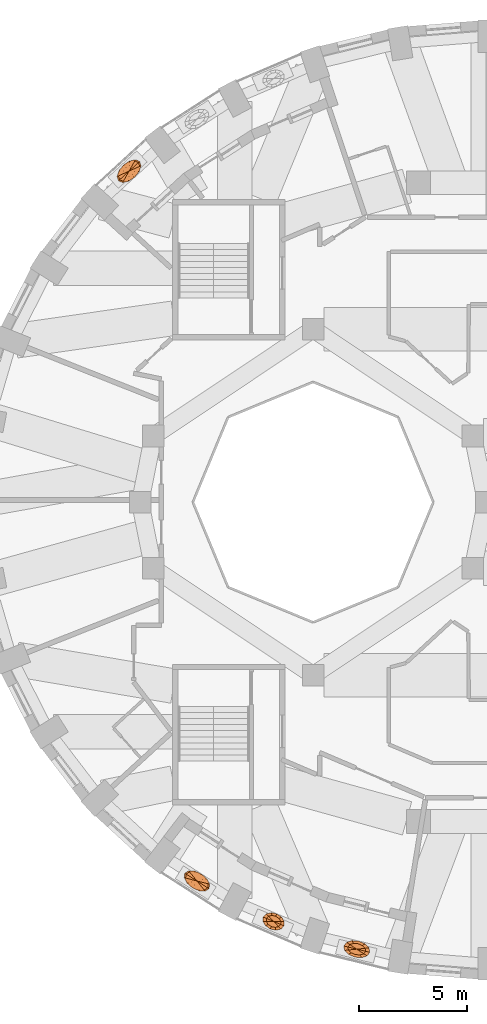
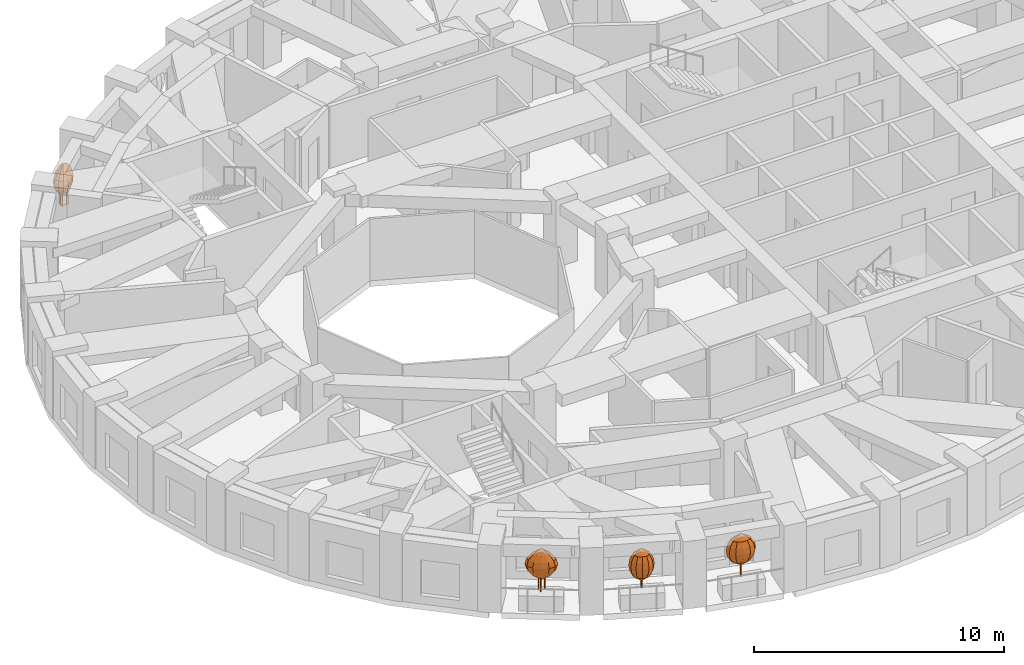
# One storey, part 11 of 12: 4 geographic elements.
"""IFC4 building model written with IfcOpenShell, lengths in metres."""

from ifc_helpers import new_model, si_unit, direction, frame, origin, place, context, subcontext, project, spatial, faceted_brep, material, constituent, constituent_set, type_object, element, save


model = new_model("IFC4")

# Units and contexts
model_context = context("Model", 3, precision=1e-05, world=origin(), true_north=direction((0.0, 1.0)))
body_context = subcontext(model_context, "Body", "Model", "MODEL_VIEW")
ifc_project = project(units=[si_unit("LENGTHUNIT", "METRE"), si_unit("AREAUNIT", "SQUARE_METRE"), si_unit("VOLUMEUNIT", "CUBIC_METRE"), si_unit("PLANEANGLEUNIT", "RADIAN"), si_unit("MASSUNIT", "GRAM", prefix="KILO")], contexts=[model_context])

# Site, building, storey
site_placement = place(None, origin())
site = spatial("IfcSite", under=ifc_project, at=site_placement, CompositionType="ELEMENT")
building_placement = place(site_placement, origin())
building = spatial("IfcBuilding", under=site, at=building_placement, Name="Taillehof Tower", CompositionType="ELEMENT")
storey_placement = place(building_placement, frame((0.0, 0.0, 171.5)))
storey = spatial("IfcBuildingStorey", under=building, at=storey_placement, Name="L48", CompositionType="ELEMENT", Elevation=171.5)

# Geographic elements
ifc_material_1 = material(Name="Tree bark", Category="timber")
ifc_constituent_1 = constituent(ifc_material_1, Name="Trunk", Category="timber")
ifc_material_2 = material(Name="Tree foliage")
ifc_constituent_2 = constituent(ifc_material_2, Name="Crown")
ifc_constituent_set_1 = constituent_set(constituents=[ifc_constituent_1, ifc_constituent_2], Name="Tree TR1 Columnar hornbeam")
geographic_element_type_1 = type_object("IfcGeographicElementType", Name="Tree TR1 Columnar hornbeam", PredefinedType="USERDEFINED", material=ifc_constituent_set_1)
geographic_element_1_placement = place(storey_placement, frame((-5.9794921875, -20.673583984375, 0.75)))
element("IfcGeographicElement", 1, at=geographic_element_1_placement, inside=storey, type_object=geographic_element_type_1, Name="Tree TR1 Columnar hornbeam", ObjectType="TREE", PredefinedType="USERDEFINED", context=body_context, shape_type="Brep", body=[
    faceted_brep([(0.030029296875, 0.0, 0.0), (0.021240234375, 0.021240234375, 0.0), (0.021240234375, 0.021240234375, 1.092529296875), (0.030029296875, 0.0, 1.092529296875), (0.0, 0.030029296875, 0.0), (0.0, 0.030029296875, 1.092529296875), (-0.021240234375, 0.021240234375, 0.0), (-0.021240234375, 0.021240234375, 1.092529296875), (-0.030029296875, 0.0, 0.0), (-0.030029296875, 0.0, 1.092529296875), (-0.021240234375, -0.021240234375, 0.0), (-0.021240234375, -0.021240234375, 1.092529296875), (0.0, -0.030029296875, 0.0), (0.0, -0.030029296875, 1.092529296875), (0.021240234375, -0.021240234375, 0.0), (0.021240234375, -0.021240234375, 1.092529296875)], [[[0, 1, 2, 3]], [[1, 4, 5, 2]], [[4, 6, 7, 5]], [[6, 8, 9, 7]], [[8, 10, 11, 9]], [[10, 12, 13, 11]], [[12, 14, 15, 13]], [[14, 0, 3, 15]], [[14, 12, 10, 8, 6, 4, 1, 0]], [[3, 2, 5, 7, 9, 11, 13, 15]]]),
    faceted_brep([(0.0, 0.0, 0.550048828125), (0.3857421875, 0.0390625, 0.808349609375), (0.40966796875, -0.100341796875, 0.808349609375), (0.25830078125, 0.168212890625, 0.808349609375), (0.061767578125, 0.252197265625, 0.808349609375), (-0.1513671875, 0.2685546875, 0.808349609375), (-0.323974609375, 0.212890625, 0.808349609375), (-0.40966796875, 0.100341796875, 0.808349609375), (-0.3857421875, -0.0390625, 0.808349609375), (-0.25830078125, -0.168212890625, 0.808349609375), (-0.061767578125, -0.252197265625, 0.808349609375), (0.1513671875, -0.2685546875, 0.808349609375), (0.323974609375, -0.212890625, 0.808349609375), (0.521728515625, 0.052978515625, 1.066650390625), (0.55419921875, -0.1357421875, 1.066650390625), (0.349365234375, 0.227294921875, 1.066650390625), (0.08349609375, 0.341064453125, 1.066650390625), (-0.20458984375, 0.36328125, 1.066650390625), (-0.43798828125, 0.2880859375, 1.066650390625), (-0.55419921875, 0.1357421875, 1.066650390625), (-0.521728515625, -0.052978515625, 1.066650390625), (-0.349365234375, -0.227294921875, 1.066650390625), (-0.08349609375, -0.341064453125, 1.066650390625), (0.20458984375, -0.36328125, 1.066650390625), (0.43798828125, -0.2880859375, 1.066650390625), (0.564697265625, 0.05712890625, 1.324951171875), (0.599853515625, -0.14697265625, 1.324951171875), (0.378173828125, 0.24609375, 1.324951171875), (0.090576171875, 0.369140625, 1.324951171875), (-0.221435546875, 0.39306640625, 1.324951171875), (-0.47412109375, 0.311767578125, 1.324951171875), (-0.599853515625, 0.14697265625, 1.324951171875), (-0.564697265625, -0.05712890625, 1.324951171875), (-0.378173828125, -0.24609375, 1.324951171875), (-0.090576171875, -0.369140625, 1.324951171875), (0.221435546875, -0.39306640625, 1.324951171875), (0.47412109375, -0.311767578125, 1.324951171875), (0.521728515625, 0.052978515625, 1.583251953125), (0.55419921875, -0.1357421875, 1.583251953125), (0.349365234375, 0.227294921875, 1.583251953125), (0.08349609375, 0.341064453125, 1.583251953125), (-0.20458984375, 0.36328125, 1.583251953125), (-0.43798828125, 0.2880859375, 1.583251953125), (-0.55419921875, 0.1357421875, 1.583251953125), (-0.521728515625, -0.052978515625, 1.583251953125), (-0.349365234375, -0.227294921875, 1.583251953125), (-0.08349609375, -0.341064453125, 1.583251953125), (0.20458984375, -0.36328125, 1.583251953125), (0.43798828125, -0.2880859375, 1.583251953125), (0.3857421875, 0.0390625, 1.841552734375), (0.40966796875, -0.100341796875, 1.841552734375), (0.25830078125, 0.168212890625, 1.841552734375), (0.061767578125, 0.252197265625, 1.841552734375), (-0.1513671875, 0.2685546875, 1.841552734375), (-0.323974609375, 0.212890625, 1.841552734375), (-0.40966796875, 0.100341796875, 1.841552734375), (-0.3857421875, -0.0390625, 1.841552734375), (-0.25830078125, -0.168212890625, 1.841552734375), (-0.061767578125, -0.252197265625, 1.841552734375), (0.1513671875, -0.2685546875, 1.841552734375), (0.323974609375, -0.212890625, 1.841552734375), (0.0, 0.0, 2.10009765625)], [[[0, 1, 2]], [[0, 3, 1]], [[0, 4, 3]], [[0, 5, 4]], [[0, 6, 5]], [[0, 7, 6]], [[0, 8, 7]], [[0, 9, 8]], [[0, 10, 9]], [[0, 11, 10]], [[0, 12, 11]], [[0, 2, 12]], [[2, 1, 13, 14]], [[1, 3, 15, 13]], [[3, 4, 16, 15]], [[4, 5, 17, 16]], [[5, 6, 18, 17]], [[6, 7, 19, 18]], [[7, 8, 20, 19]], [[8, 9, 21, 20]], [[9, 10, 22, 21]], [[10, 11, 23, 22]], [[11, 12, 24, 23]], [[12, 2, 14, 24]], [[14, 13, 25, 26]], [[13, 15, 27, 25]], [[15, 16, 28, 27]], [[16, 17, 29, 28]], [[17, 18, 30, 29]], [[18, 19, 31, 30]], [[19, 20, 32, 31]], [[20, 21, 33, 32]], [[21, 22, 34, 33]], [[22, 23, 35, 34]], [[23, 24, 36, 35]], [[24, 14, 26, 36]], [[26, 25, 37, 38]], [[25, 27, 39, 37]], [[27, 28, 40, 39]], [[28, 29, 41, 40]], [[29, 30, 42, 41]], [[30, 31, 43, 42]], [[31, 32, 44, 43]], [[32, 33, 45, 44]], [[33, 34, 46, 45]], [[34, 35, 47, 46]], [[35, 36, 48, 47]], [[36, 26, 38, 48]], [[38, 37, 49, 50]], [[37, 39, 51, 49]], [[39, 40, 52, 51]], [[40, 41, 53, 52]], [[41, 42, 54, 53]], [[42, 43, 55, 54]], [[43, 44, 56, 55]], [[44, 45, 57, 56]], [[45, 46, 58, 57]], [[46, 47, 59, 58]], [[47, 48, 60, 59]], [[48, 38, 50, 60]], [[50, 49, 61]], [[49, 51, 61]], [[51, 52, 61]], [[52, 53, 61]], [[53, 54, 61]], [[54, 55, 61]], [[55, 56, 61]], [[56, 57, 61]], [[57, 58, 61]], [[58, 59, 61]], [[59, 60, 61]], [[60, 50, 61]]]),
])
ifc_material_3 = material(Name="Tree bark", Category="timber")
ifc_constituent_3 = constituent(ifc_material_3, Name="Trunk", Category="timber")
ifc_material_4 = material(Name="Tree foliage")
ifc_constituent_4 = constituent(ifc_material_4, Name="Crown")
ifc_constituent_set_2 = constituent_set(constituents=[ifc_constituent_3, ifc_constituent_4], Name="Tree TR2 Fastigiate yew")
geographic_element_type_2 = type_object("IfcGeographicElementType", Name="Tree TR2 Fastigiate yew", PredefinedType="USERDEFINED", material=ifc_constituent_set_2)
geographic_element_2_placement = place(storey_placement, frame((-9.827392578125, -19.392333984375, 0.75)))
element("IfcGeographicElement", 2, at=geographic_element_2_placement, inside=storey, type_object=geographic_element_type_2, Name="Tree TR2 Fastigiate yew", ObjectType="TREE", PredefinedType="USERDEFINED", context=body_context, shape_type="Brep", body=[
    faceted_brep([(0.034912109375, 0.0, 0.0), (0.024658203125, 0.024658203125, 0.0), (0.024658203125, 0.024658203125, 0.909912109375), (0.034912109375, 0.0, 0.909912109375), (0.0, 0.034912109375, 0.0), (0.0, 0.034912109375, 0.909912109375), (-0.024658203125, 0.024658203125, 0.0), (-0.024658203125, 0.024658203125, 0.909912109375), (-0.034912109375, 0.0, 0.0), (-0.034912109375, 0.0, 0.909912109375), (-0.024658203125, -0.024658203125, 0.0), (-0.024658203125, -0.024658203125, 0.909912109375), (0.0, -0.034912109375, 0.0), (0.0, -0.034912109375, 0.909912109375), (0.024658203125, -0.024658203125, 0.0), (0.024658203125, -0.024658203125, 0.909912109375)], [[[0, 1, 2, 3]], [[1, 4, 5, 2]], [[4, 6, 7, 5]], [[6, 8, 9, 7]], [[8, 10, 11, 9]], [[10, 12, 13, 11]], [[12, 14, 15, 13]], [[14, 0, 3, 15]], [[14, 12, 10, 8, 6, 4, 1, 0]], [[3, 2, 5, 7, 9, 11, 13, 15]]]),
    faceted_brep([(0.0, 0.0, 0.35009765625), (0.335205078125, -0.001953125, 0.61669921875), (0.328369140625, -0.14013671875, 0.61669921875), (0.25244140625, 0.13671875, 0.61669921875), (0.101806640625, 0.23876953125, 0.61669921875), (-0.075927734375, 0.27685546875, 0.61669921875), (-0.2333984375, 0.24072265625, 0.61669921875), (-0.328369140625, 0.14013671875, 0.61669921875), (-0.335205078125, 0.001953125, 0.61669921875), (-0.25244140625, -0.13671875, 0.61669921875), (-0.101806640625, -0.23876953125, 0.61669921875), (0.075927734375, -0.27685546875, 0.61669921875), (0.2333984375, -0.24072265625, 0.61669921875), (0.453369140625, -0.002685546875, 0.88330078125), (0.444091796875, -0.189453125, 0.88330078125), (0.34130859375, 0.18505859375, 0.88330078125), (0.1376953125, 0.322998046875, 0.88330078125), (-0.102783203125, 0.374267578125, 0.88330078125), (-0.315673828125, 0.325439453125, 0.88330078125), (-0.444091796875, 0.189453125, 0.88330078125), (-0.453369140625, 0.002685546875, 0.88330078125), (-0.34130859375, -0.18505859375, 0.88330078125), (-0.1376953125, -0.322998046875, 0.88330078125), (0.102783203125, -0.374267578125, 0.88330078125), (0.315673828125, -0.325439453125, 0.88330078125), (0.49072265625, -0.002685546875, 1.14990234375), (0.480712890625, -0.205078125, 1.14990234375), (0.369384765625, 0.2001953125, 1.14990234375), (0.149169921875, 0.349609375, 1.14990234375), (-0.111083984375, 0.4052734375, 1.14990234375), (-0.341552734375, 0.352294921875, 1.14990234375), (-0.480712890625, 0.205078125, 1.14990234375), (-0.49072265625, 0.002685546875, 1.14990234375), (-0.369384765625, -0.2001953125, 1.14990234375), (-0.149169921875, -0.349609375, 1.14990234375), (0.111083984375, -0.4052734375, 1.14990234375), (0.341552734375, -0.352294921875, 1.14990234375), (0.453369140625, -0.002685546875, 1.416748046875), (0.444091796875, -0.189453125, 1.416748046875), (0.34130859375, 0.18505859375, 1.416748046875), (0.1376953125, 0.322998046875, 1.416748046875), (-0.102783203125, 0.374267578125, 1.416748046875), (-0.315673828125, 0.325439453125, 1.416748046875), (-0.444091796875, 0.189453125, 1.416748046875), (-0.453369140625, 0.002685546875, 1.416748046875), (-0.34130859375, -0.18505859375, 1.416748046875), (-0.1376953125, -0.322998046875, 1.416748046875), (0.102783203125, -0.374267578125, 1.416748046875), (0.315673828125, -0.325439453125, 1.416748046875), (0.335205078125, -0.001953125, 1.683349609375), (0.328369140625, -0.14013671875, 1.683349609375), (0.25244140625, 0.13671875, 1.683349609375), (0.101806640625, 0.23876953125, 1.683349609375), (-0.075927734375, 0.27685546875, 1.683349609375), (-0.2333984375, 0.24072265625, 1.683349609375), (-0.328369140625, 0.14013671875, 1.683349609375), (-0.335205078125, 0.001953125, 1.683349609375), (-0.25244140625, -0.13671875, 1.683349609375), (-0.101806640625, -0.23876953125, 1.683349609375), (0.075927734375, -0.27685546875, 1.683349609375), (0.2333984375, -0.24072265625, 1.683349609375), (0.0, 0.0, 1.949951171875)], [[[0, 1, 2]], [[0, 3, 1]], [[0, 4, 3]], [[0, 5, 4]], [[0, 6, 5]], [[0, 7, 6]], [[0, 8, 7]], [[0, 9, 8]], [[0, 10, 9]], [[0, 11, 10]], [[0, 12, 11]], [[0, 2, 12]], [[2, 1, 13, 14]], [[1, 3, 15, 13]], [[3, 4, 16, 15]], [[4, 5, 17, 16]], [[5, 6, 18, 17]], [[6, 7, 19, 18]], [[7, 8, 20, 19]], [[8, 9, 21, 20]], [[9, 10, 22, 21]], [[10, 11, 23, 22]], [[11, 12, 24, 23]], [[12, 2, 14, 24]], [[14, 13, 25, 26]], [[13, 15, 27, 25]], [[15, 16, 28, 27]], [[16, 17, 29, 28]], [[17, 18, 30, 29]], [[18, 19, 31, 30]], [[19, 20, 32, 31]], [[20, 21, 33, 32]], [[21, 22, 34, 33]], [[22, 23, 35, 34]], [[23, 24, 36, 35]], [[24, 14, 26, 36]], [[26, 25, 37, 38]], [[25, 27, 39, 37]], [[27, 28, 40, 39]], [[28, 29, 41, 40]], [[29, 30, 42, 41]], [[30, 31, 43, 42]], [[31, 32, 44, 43]], [[32, 33, 45, 44]], [[33, 34, 46, 45]], [[34, 35, 47, 46]], [[35, 36, 48, 47]], [[36, 26, 38, 48]], [[38, 37, 49, 50]], [[37, 39, 51, 49]], [[39, 40, 52, 51]], [[40, 41, 53, 52]], [[41, 42, 54, 53]], [[42, 43, 55, 54]], [[43, 44, 56, 55]], [[44, 45, 57, 56]], [[45, 46, 58, 57]], [[46, 47, 59, 58]], [[47, 48, 60, 59]], [[48, 38, 50, 60]], [[50, 49, 61]], [[49, 51, 61]], [[51, 52, 61]], [[52, 53, 61]], [[53, 54, 61]], [[54, 55, 61]], [[55, 56, 61]], [[56, 57, 61]], [[57, 58, 61]], [[58, 59, 61]], [[59, 60, 61]], [[60, 50, 61]]]),
])
ifc_material_5 = material(Name="Tree bark", Category="timber")
ifc_constituent_5 = constituent(ifc_material_5, Name="Trunk", Category="timber")
ifc_material_6 = material(Name="Tree foliage")
ifc_constituent_6 = constituent(ifc_material_6, Name="Crown")
ifc_constituent_set_3 = constituent_set(constituents=[ifc_constituent_5, ifc_constituent_6], Name="Tree TR3 Multi-stem serviceberry")
geographic_element_type_3 = type_object("IfcGeographicElementType", Name="Tree TR3 Multi-stem serviceberry", PredefinedType="USERDEFINED", material=ifc_constituent_set_3)
geographic_element_3_placement = place(storey_placement, frame((-16.51220703125, 15.31005859375, 0.75)))
element("IfcGeographicElement", 3, at=geographic_element_3_placement, inside=storey, type_object=geographic_element_type_3, Name="Tree TR3 Multi-stem serviceberry", ObjectType="TREE", PredefinedType="USERDEFINED", context=body_context, shape_type="Brep", body=[
    faceted_brep([(0.195068359375, 0.0, 0.0), (0.186767578125, 0.0205078125, 0.0), (0.186767578125, 0.0205078125, 1.04248046875), (0.195068359375, 0.0, 1.04248046875), (0.166259765625, 0.02880859375, 0.0), (0.166259765625, 0.02880859375, 1.04248046875), (0.145751953125, 0.0205078125, 0.0), (0.145751953125, 0.0205078125, 1.04248046875), (0.137451171875, 0.0, 0.0), (0.137451171875, 0.0, 1.04248046875), (0.145751953125, -0.0205078125, 0.0), (0.145751953125, -0.0205078125, 1.04248046875), (0.166259765625, -0.02880859375, 0.0), (0.166259765625, -0.02880859375, 1.04248046875), (0.186767578125, -0.0205078125, 0.0), (0.186767578125, -0.0205078125, 1.04248046875)], [[[0, 1, 2, 3]], [[1, 4, 5, 2]], [[4, 6, 7, 5]], [[6, 8, 9, 7]], [[8, 10, 11, 9]], [[10, 12, 13, 11]], [[12, 14, 15, 13]], [[14, 0, 3, 15]], [[14, 12, 10, 8, 6, 4, 1, 0]], [[3, 2, 5, 7, 9, 11, 13, 15]]]),
    faceted_brep([(-0.05419921875, 0.082275390625, 0.0), (-0.062744140625, 0.102783203125, 0.0), (-0.062744140625, 0.102783203125, 1.04248046875), (-0.05419921875, 0.082275390625, 1.04248046875), (-0.0830078125, 0.111083984375, 0.0), (-0.0830078125, 0.111083984375, 1.04248046875), (-0.103515625, 0.102783203125, 0.0), (-0.103515625, 0.102783203125, 1.04248046875), (-0.112060546875, 0.082275390625, 0.0), (-0.112060546875, 0.082275390625, 1.04248046875), (-0.103515625, 0.061767578125, 0.0), (-0.103515625, 0.061767578125, 1.04248046875), (-0.0830078125, 0.053466796875, 0.0), (-0.0830078125, 0.053466796875, 1.04248046875), (-0.062744140625, 0.061767578125, 0.0), (-0.062744140625, 0.061767578125, 1.04248046875)], [[[0, 1, 2, 3]], [[1, 4, 5, 2]], [[4, 6, 7, 5]], [[6, 8, 9, 7]], [[8, 10, 11, 9]], [[10, 12, 13, 11]], [[12, 14, 15, 13]], [[14, 0, 3, 15]], [[14, 12, 10, 8, 6, 4, 1, 0]], [[3, 2, 5, 7, 9, 11, 13, 15]]]),
    faceted_brep([(-0.05419921875, -0.082275390625, 0.0), (-0.062744140625, -0.061767578125, 0.0), (-0.062744140625, -0.061767578125, 1.04248046875), (-0.05419921875, -0.082275390625, 1.04248046875), (-0.0830078125, -0.053466796875, 0.0), (-0.0830078125, -0.053466796875, 1.04248046875), (-0.103515625, -0.061767578125, 0.0), (-0.103515625, -0.061767578125, 1.04248046875), (-0.112060546875, -0.082275390625, 0.0), (-0.112060546875, -0.082275390625, 1.04248046875), (-0.103515625, -0.102783203125, 0.0), (-0.103515625, -0.102783203125, 1.04248046875), (-0.0830078125, -0.111083984375, 0.0), (-0.0830078125, -0.111083984375, 1.04248046875), (-0.062744140625, -0.102783203125, 0.0), (-0.062744140625, -0.102783203125, 1.04248046875)], [[[0, 1, 2, 3]], [[1, 4, 5, 2]], [[4, 6, 7, 5]], [[6, 8, 9, 7]], [[8, 10, 11, 9]], [[10, 12, 13, 11]], [[12, 14, 15, 13]], [[14, 0, 3, 15]], [[14, 12, 10, 8, 6, 4, 1, 0]], [[3, 2, 5, 7, 9, 11, 13, 15]]]),
    faceted_brep([(0.0, 0.0, 0.5), (-0.17041015625, -0.3037109375, 0.75830078125), (-0.28173828125, -0.2578125, 0.75830078125), (-0.013427734375, -0.268310546875, 0.75830078125), (0.147216796875, -0.1611328125, 0.75830078125), (0.2685546875, -0.010498046875, 0.75830078125), (0.317626953125, 0.142822265625, 0.75830078125), (0.28173828125, 0.2578125, 0.75830078125), (0.17041015625, 0.3037109375, 0.75830078125), (0.013427734375, 0.268310546875, 0.75830078125), (-0.147216796875, 0.1611328125, 0.75830078125), (-0.2685546875, 0.010498046875, 0.75830078125), (-0.317626953125, -0.142822265625, 0.75830078125), (-0.264404296875, -0.471435546875, 1.0166015625), (-0.437255859375, -0.400146484375, 1.0166015625), (-0.020751953125, -0.41650390625, 1.0166015625), (0.228515625, -0.25, 1.0166015625), (0.416748046875, -0.016357421875, 1.0166015625), (0.492919921875, 0.221435546875, 1.0166015625), (0.437255859375, 0.400146484375, 1.0166015625), (0.264404296875, 0.471435546875, 1.0166015625), (0.020751953125, 0.41650390625, 1.0166015625), (-0.228515625, 0.25, 1.0166015625), (-0.416748046875, 0.016357421875, 1.0166015625), (-0.492919921875, -0.221435546875, 1.0166015625), (-0.296630859375, -0.52880859375, 1.27490234375), (-0.49072265625, -0.448974609375, 1.27490234375), (-0.023193359375, -0.46728515625, 1.27490234375), (0.256591796875, -0.2802734375, 1.27490234375), (0.467529296875, -0.018310546875, 1.27490234375), (0.55322265625, 0.24853515625, 1.27490234375), (0.49072265625, 0.448974609375, 1.27490234375), (0.296630859375, 0.52880859375, 1.27490234375), (0.023193359375, 0.46728515625, 1.27490234375), (-0.256591796875, 0.2802734375, 1.27490234375), (-0.467529296875, 0.018310546875, 1.27490234375), (-0.55322265625, -0.24853515625, 1.27490234375), (-0.264404296875, -0.471435546875, 1.533447265625), (-0.437255859375, -0.400146484375, 1.533447265625), (-0.020751953125, -0.41650390625, 1.533447265625), (0.228515625, -0.25, 1.533447265625), (0.416748046875, -0.016357421875, 1.533447265625), (0.492919921875, 0.221435546875, 1.533447265625), (0.437255859375, 0.400146484375, 1.533447265625), (0.264404296875, 0.471435546875, 1.533447265625), (0.020751953125, 0.41650390625, 1.533447265625), (-0.228515625, 0.25, 1.533447265625), (-0.416748046875, 0.016357421875, 1.533447265625), (-0.492919921875, -0.221435546875, 1.533447265625), (-0.17041015625, -0.3037109375, 1.791748046875), (-0.28173828125, -0.2578125, 1.791748046875), (-0.013427734375, -0.268310546875, 1.791748046875), (0.147216796875, -0.1611328125, 1.791748046875), (0.2685546875, -0.010498046875, 1.791748046875), (0.317626953125, 0.142822265625, 1.791748046875), (0.28173828125, 0.2578125, 1.791748046875), (0.17041015625, 0.3037109375, 1.791748046875), (0.013427734375, 0.268310546875, 1.791748046875), (-0.147216796875, 0.1611328125, 1.791748046875), (-0.2685546875, 0.010498046875, 1.791748046875), (-0.317626953125, -0.142822265625, 1.791748046875), (0.0, 0.0, 2.050048828125)], [[[0, 1, 2]], [[0, 3, 1]], [[0, 4, 3]], [[0, 5, 4]], [[0, 6, 5]], [[0, 7, 6]], [[0, 8, 7]], [[0, 9, 8]], [[0, 10, 9]], [[0, 11, 10]], [[0, 12, 11]], [[0, 2, 12]], [[2, 1, 13, 14]], [[1, 3, 15, 13]], [[3, 4, 16, 15]], [[4, 5, 17, 16]], [[5, 6, 18, 17]], [[6, 7, 19, 18]], [[7, 8, 20, 19]], [[8, 9, 21, 20]], [[9, 10, 22, 21]], [[10, 11, 23, 22]], [[11, 12, 24, 23]], [[12, 2, 14, 24]], [[14, 13, 25, 26]], [[13, 15, 27, 25]], [[15, 16, 28, 27]], [[16, 17, 29, 28]], [[17, 18, 30, 29]], [[18, 19, 31, 30]], [[19, 20, 32, 31]], [[20, 21, 33, 32]], [[21, 22, 34, 33]], [[22, 23, 35, 34]], [[23, 24, 36, 35]], [[24, 14, 26, 36]], [[26, 25, 37, 38]], [[25, 27, 39, 37]], [[27, 28, 40, 39]], [[28, 29, 41, 40]], [[29, 30, 42, 41]], [[30, 31, 43, 42]], [[31, 32, 44, 43]], [[32, 33, 45, 44]], [[33, 34, 46, 45]], [[34, 35, 47, 46]], [[35, 36, 48, 47]], [[36, 26, 38, 48]], [[38, 37, 49, 50]], [[37, 39, 51, 49]], [[39, 40, 52, 51]], [[40, 41, 53, 52]], [[41, 42, 54, 53]], [[42, 43, 55, 54]], [[43, 44, 56, 55]], [[44, 45, 57, 56]], [[45, 46, 58, 57]], [[46, 47, 59, 58]], [[47, 48, 60, 59]], [[48, 38, 50, 60]], [[50, 49, 61]], [[49, 51, 61]], [[51, 52, 61]], [[52, 53, 61]], [[53, 54, 61]], [[54, 55, 61]], [[55, 56, 61]], [[56, 57, 61]], [[57, 58, 61]], [[58, 59, 61]], [[59, 60, 61]], [[60, 50, 61]]]),
])
geographic_element_4_placement = place(storey_placement, frame((-13.374267578125, -17.518798828125, 0.75)))
element("IfcGeographicElement", 4, at=geographic_element_4_placement, inside=storey, type_object=geographic_element_type_3, Name="Tree TR3 Multi-stem serviceberry", ObjectType="TREE", PredefinedType="USERDEFINED", context=body_context, shape_type="Brep", body=[
    faceted_brep([(0.195068359375, 0.0, 0.0), (0.186767578125, 0.0205078125, 0.0), (0.186767578125, 0.0205078125, 1.04248046875), (0.195068359375, 0.0, 1.04248046875), (0.166259765625, 0.02880859375, 0.0), (0.166259765625, 0.02880859375, 1.04248046875), (0.145751953125, 0.0205078125, 0.0), (0.145751953125, 0.0205078125, 1.04248046875), (0.137451171875, 0.0, 0.0), (0.137451171875, 0.0, 1.04248046875), (0.145751953125, -0.0205078125, 0.0), (0.145751953125, -0.0205078125, 1.04248046875), (0.166259765625, -0.02880859375, 0.0), (0.166259765625, -0.02880859375, 1.04248046875), (0.186767578125, -0.0205078125, 0.0), (0.186767578125, -0.0205078125, 1.04248046875)], [[[0, 1, 2, 3]], [[1, 4, 5, 2]], [[4, 6, 7, 5]], [[6, 8, 9, 7]], [[8, 10, 11, 9]], [[10, 12, 13, 11]], [[12, 14, 15, 13]], [[14, 0, 3, 15]], [[14, 12, 10, 8, 6, 4, 1, 0]], [[3, 2, 5, 7, 9, 11, 13, 15]]]),
    faceted_brep([(-0.05419921875, 0.082275390625, 0.0), (-0.062744140625, 0.102783203125, 0.0), (-0.062744140625, 0.102783203125, 1.04248046875), (-0.05419921875, 0.082275390625, 1.04248046875), (-0.0830078125, 0.111083984375, 0.0), (-0.0830078125, 0.111083984375, 1.04248046875), (-0.103515625, 0.102783203125, 0.0), (-0.103515625, 0.102783203125, 1.04248046875), (-0.112060546875, 0.082275390625, 0.0), (-0.112060546875, 0.082275390625, 1.04248046875), (-0.103515625, 0.061767578125, 0.0), (-0.103515625, 0.061767578125, 1.04248046875), (-0.0830078125, 0.053466796875, 0.0), (-0.0830078125, 0.053466796875, 1.04248046875), (-0.062744140625, 0.061767578125, 0.0), (-0.062744140625, 0.061767578125, 1.04248046875)], [[[0, 1, 2, 3]], [[1, 4, 5, 2]], [[4, 6, 7, 5]], [[6, 8, 9, 7]], [[8, 10, 11, 9]], [[10, 12, 13, 11]], [[12, 14, 15, 13]], [[14, 0, 3, 15]], [[14, 12, 10, 8, 6, 4, 1, 0]], [[3, 2, 5, 7, 9, 11, 13, 15]]]),
    faceted_brep([(-0.05419921875, -0.082275390625, 0.0), (-0.062744140625, -0.061767578125, 0.0), (-0.062744140625, -0.061767578125, 1.04248046875), (-0.05419921875, -0.082275390625, 1.04248046875), (-0.0830078125, -0.053466796875, 0.0), (-0.0830078125, -0.053466796875, 1.04248046875), (-0.103515625, -0.061767578125, 0.0), (-0.103515625, -0.061767578125, 1.04248046875), (-0.112060546875, -0.082275390625, 0.0), (-0.112060546875, -0.082275390625, 1.04248046875), (-0.103515625, -0.102783203125, 0.0), (-0.103515625, -0.102783203125, 1.04248046875), (-0.0830078125, -0.111083984375, 0.0), (-0.0830078125, -0.111083984375, 1.04248046875), (-0.062744140625, -0.102783203125, 0.0), (-0.062744140625, -0.102783203125, 1.04248046875)], [[[0, 1, 2, 3]], [[1, 4, 5, 2]], [[4, 6, 7, 5]], [[6, 8, 9, 7]], [[8, 10, 11, 9]], [[10, 12, 13, 11]], [[12, 14, 15, 13]], [[14, 0, 3, 15]], [[14, 12, 10, 8, 6, 4, 1, 0]], [[3, 2, 5, 7, 9, 11, 13, 15]]]),
    faceted_brep([(0.0, 0.0, 0.5), (0.33740234375, -0.08642578125, 0.75830078125), (0.321533203125, -0.2060546875, 0.75830078125), (0.2626953125, 0.05615234375, 0.75830078125), (0.11767578125, 0.183837890625, 0.75830078125), (-0.058837890625, 0.26220703125, 0.75830078125), (-0.2197265625, 0.270263671875, 0.75830078125), (-0.321533203125, 0.2060546875, 0.75830078125), (-0.33740234375, 0.08642578125, 0.75830078125), (-0.2626953125, -0.05615234375, 0.75830078125), (-0.11767578125, -0.183837890625, 0.75830078125), (0.058837890625, -0.26220703125, 0.75830078125), (0.2197265625, -0.270263671875, 0.75830078125), (0.523681640625, -0.13427734375, 1.0166015625), (0.4990234375, -0.31982421875, 1.0166015625), (0.40771484375, 0.087158203125, 1.0166015625), (0.1826171875, 0.28515625, 1.0166015625), (-0.09130859375, 0.40673828125, 1.0166015625), (-0.3408203125, 0.41943359375, 1.0166015625), (-0.4990234375, 0.31982421875, 1.0166015625), (-0.523681640625, 0.13427734375, 1.0166015625), (-0.40771484375, -0.087158203125, 1.0166015625), (-0.1826171875, -0.28515625, 1.0166015625), (0.09130859375, -0.40673828125, 1.0166015625), (0.3408203125, -0.41943359375, 1.0166015625), (0.58740234375, -0.150634765625, 1.27490234375), (0.56005859375, -0.358642578125, 1.27490234375), (0.45751953125, 0.09765625, 1.27490234375), (0.205078125, 0.320068359375, 1.27490234375), (-0.1025390625, 0.45654296875, 1.27490234375), (-0.382568359375, 0.470703125, 1.27490234375), (-0.56005859375, 0.358642578125, 1.27490234375), (-0.58740234375, 0.150634765625, 1.27490234375), (-0.45751953125, -0.09765625, 1.27490234375), (-0.205078125, -0.320068359375, 1.27490234375), (0.1025390625, -0.45654296875, 1.27490234375), (0.382568359375, -0.470703125, 1.27490234375), (0.523681640625, -0.13427734375, 1.533447265625), (0.4990234375, -0.31982421875, 1.533447265625), (0.40771484375, 0.087158203125, 1.533447265625), (0.1826171875, 0.28515625, 1.533447265625), (-0.09130859375, 0.40673828125, 1.533447265625), (-0.3408203125, 0.41943359375, 1.533447265625), (-0.4990234375, 0.31982421875, 1.533447265625), (-0.523681640625, 0.13427734375, 1.533447265625), (-0.40771484375, -0.087158203125, 1.533447265625), (-0.1826171875, -0.28515625, 1.533447265625), (0.09130859375, -0.40673828125, 1.533447265625), (0.3408203125, -0.41943359375, 1.533447265625), (0.33740234375, -0.08642578125, 1.791748046875), (0.321533203125, -0.2060546875, 1.791748046875), (0.2626953125, 0.05615234375, 1.791748046875), (0.11767578125, 0.183837890625, 1.791748046875), (-0.058837890625, 0.26220703125, 1.791748046875), (-0.2197265625, 0.270263671875, 1.791748046875), (-0.321533203125, 0.2060546875, 1.791748046875), (-0.33740234375, 0.08642578125, 1.791748046875), (-0.2626953125, -0.05615234375, 1.791748046875), (-0.11767578125, -0.183837890625, 1.791748046875), (0.058837890625, -0.26220703125, 1.791748046875), (0.2197265625, -0.270263671875, 1.791748046875), (0.0, 0.0, 2.050048828125)], [[[0, 1, 2]], [[0, 3, 1]], [[0, 4, 3]], [[0, 5, 4]], [[0, 6, 5]], [[0, 7, 6]], [[0, 8, 7]], [[0, 9, 8]], [[0, 10, 9]], [[0, 11, 10]], [[0, 12, 11]], [[0, 2, 12]], [[2, 1, 13, 14]], [[1, 3, 15, 13]], [[3, 4, 16, 15]], [[4, 5, 17, 16]], [[5, 6, 18, 17]], [[6, 7, 19, 18]], [[7, 8, 20, 19]], [[8, 9, 21, 20]], [[9, 10, 22, 21]], [[10, 11, 23, 22]], [[11, 12, 24, 23]], [[12, 2, 14, 24]], [[14, 13, 25, 26]], [[13, 15, 27, 25]], [[15, 16, 28, 27]], [[16, 17, 29, 28]], [[17, 18, 30, 29]], [[18, 19, 31, 30]], [[19, 20, 32, 31]], [[20, 21, 33, 32]], [[21, 22, 34, 33]], [[22, 23, 35, 34]], [[23, 24, 36, 35]], [[24, 14, 26, 36]], [[26, 25, 37, 38]], [[25, 27, 39, 37]], [[27, 28, 40, 39]], [[28, 29, 41, 40]], [[29, 30, 42, 41]], [[30, 31, 43, 42]], [[31, 32, 44, 43]], [[32, 33, 45, 44]], [[33, 34, 46, 45]], [[34, 35, 47, 46]], [[35, 36, 48, 47]], [[36, 26, 38, 48]], [[38, 37, 49, 50]], [[37, 39, 51, 49]], [[39, 40, 52, 51]], [[40, 41, 53, 52]], [[41, 42, 54, 53]], [[42, 43, 55, 54]], [[43, 44, 56, 55]], [[44, 45, 57, 56]], [[45, 46, 58, 57]], [[46, 47, 59, 58]], [[47, 48, 60, 59]], [[48, 38, 50, 60]], [[50, 49, 61]], [[49, 51, 61]], [[51, 52, 61]], [[52, 53, 61]], [[53, 54, 61]], [[54, 55, 61]], [[55, 56, 61]], [[56, 57, 61]], [[57, 58, 61]], [[58, 59, 61]], [[59, 60, 61]], [[60, 50, 61]]]),
])

save(model, "model.ifc")
